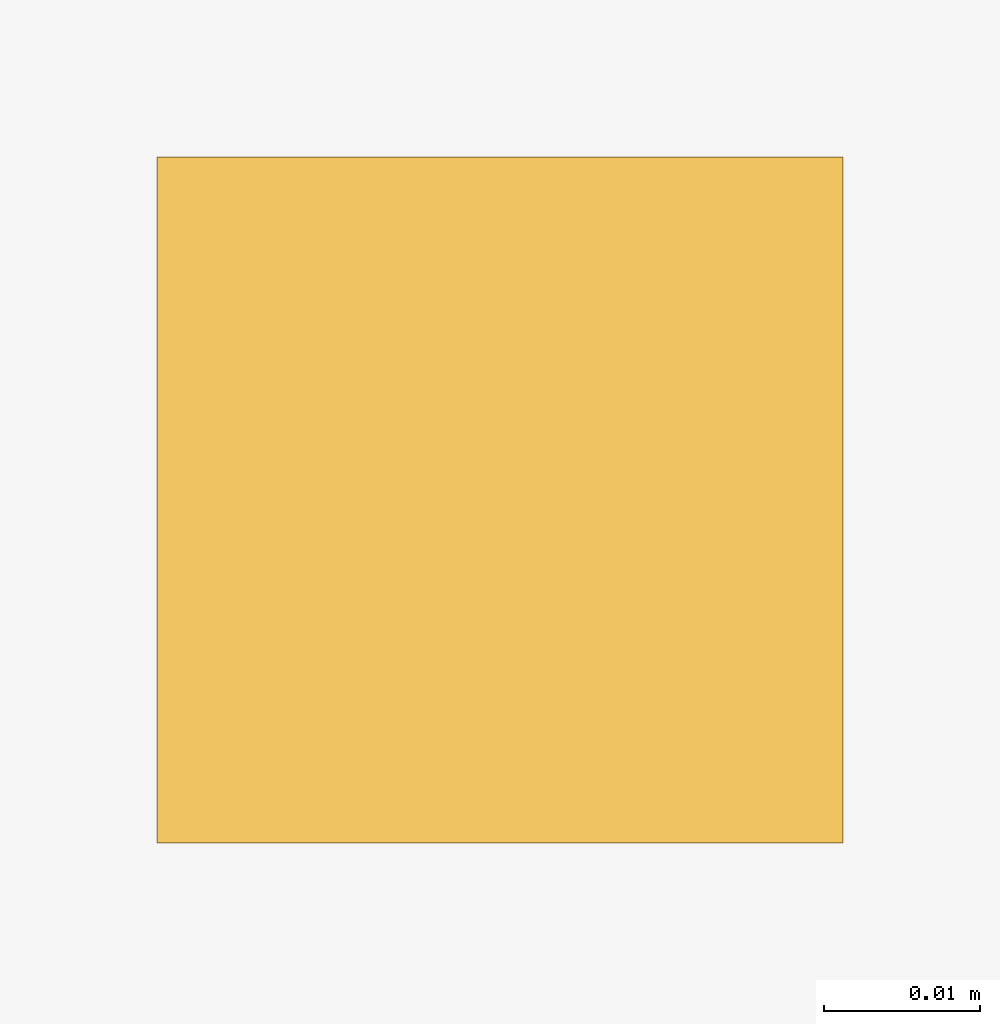
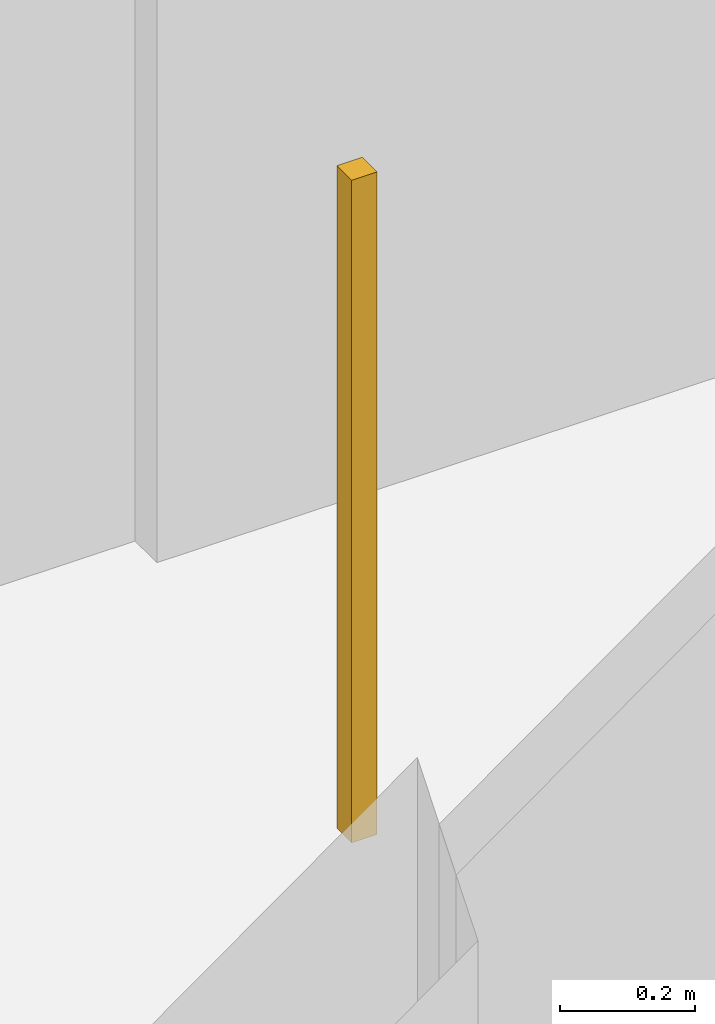
# One storey, part 8 of 10: 1 railing.
"""IFC4 building model written with IfcOpenShell, lengths in metres."""

from ifc_helpers import new_model, si_unit, direction, frame, origin, origin_2d, place, context, subcontext, project, spatial, rectangle, extrude, material, type_object, element, save


model = new_model("IFC4")

# Units and contexts
model_context = context("Model", 3, precision=1e-05, world=origin(), true_north=direction((0.0, 1.0)))
body_context = subcontext(model_context, "Body", "Model", "MODEL_VIEW")
ifc_project = project(units=[si_unit("LENGTHUNIT", "METRE"), si_unit("AREAUNIT", "SQUARE_METRE"), si_unit("VOLUMEUNIT", "CUBIC_METRE"), si_unit("PLANEANGLEUNIT", "RADIAN"), si_unit("MASSUNIT", "GRAM", prefix="KILO")], contexts=[model_context])

# Site, building, storey
site_placement = place(None, origin())
site = spatial("IfcSite", under=ifc_project, at=site_placement, CompositionType="ELEMENT")
building_placement = place(site_placement, origin())
building = spatial("IfcBuilding", under=site, at=building_placement, Name="Yunling Apex Tower", CompositionType="ELEMENT")
storey_placement = place(building_placement, frame((0.0, 0.0, 296.75)))
storey = spatial("IfcBuildingStorey", under=building, at=storey_placement, Name="L72", CompositionType="ELEMENT", Elevation=296.75)

# Railing
ifc_material = material(Name="Bronze anodised aluminium", Category="aluminium")
railing_type = type_object("IfcRailingType", Name="RL-BAL-1200", PredefinedType="BALUSTRADE", material=ifc_material)
railing_placement = place(storey_placement, origin())
element("IfcRailing", 1, at=railing_placement, inside=storey, type_object=railing_type, Name="RL-TATR-L72", PredefinedType="BALUSTRADE", context=body_context, shape_type="SweptSolid", body=[
    extrude(rectangle(XDim=0.0439453125, YDim=0.0439453125, at=origin_2d()), origin(), (0.0, 0.0, 1.0), 1.199951171875),
])

save(model, "model.ifc")
